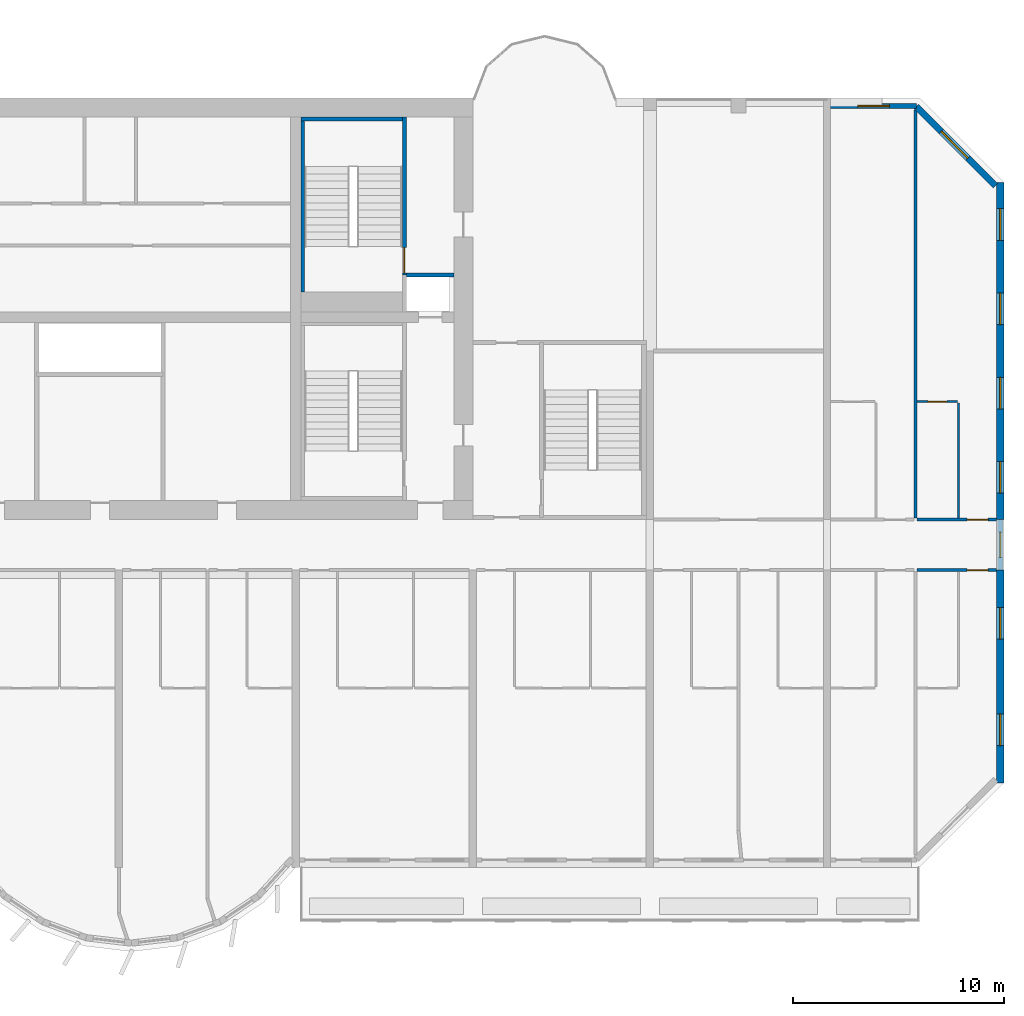
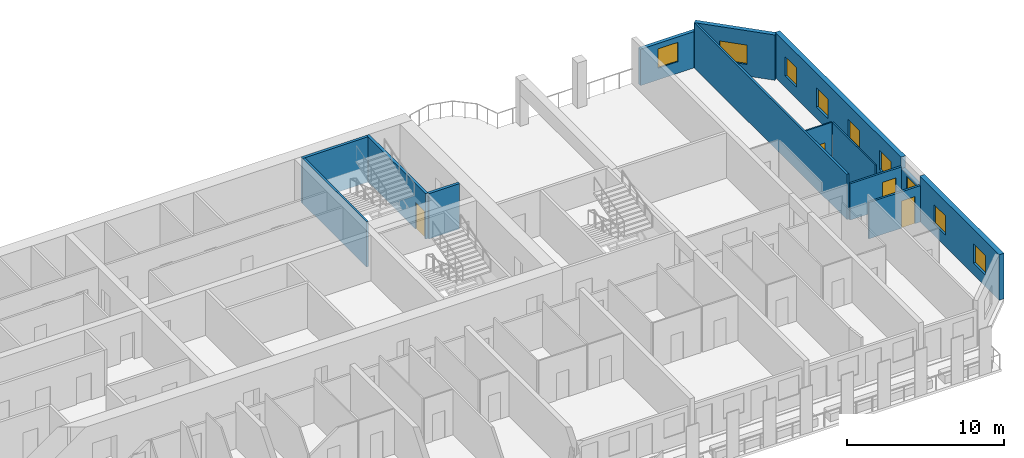
# One storey, part 11 of 15: 14 walls, 9 windows, 4 doors, 13 openings.
"""IFC4 building model written with IfcOpenShell, lengths in metres."""

from ifc_helpers import new_model, si_unit, direction, frame, frame_2d, origin, place, context, subcontext, project, spatial, rectangle, extrude, source, transform, mapped, material, layer, layer_set, type_object, element, fill, save


model = new_model("IFC4")

# Units and contexts
model_context = context("Model", 3, precision=1e-05, world=origin(), true_north=direction((0.0, 1.0)))
body_context = subcontext(model_context, "Body", "Model", "MODEL_VIEW")
ifc_project = project(units=[si_unit("LENGTHUNIT", "METRE"), si_unit("AREAUNIT", "SQUARE_METRE"), si_unit("VOLUMEUNIT", "CUBIC_METRE"), si_unit("PLANEANGLEUNIT", "RADIAN"), si_unit("MASSUNIT", "GRAM", prefix="KILO")], contexts=[model_context])

# Site, building, storey
site_placement = place(None, origin())
site = spatial("IfcSite", under=ifc_project, at=site_placement, CompositionType="ELEMENT")
building_placement = place(site_placement, origin())
building = spatial("IfcBuilding", under=site, at=building_placement, Name="Vanashikhar Sky Hotel", CompositionType="ELEMENT")
storey_placement = place(building_placement, frame((0.0, 0.0, 106.60009765625)))
storey = spatial("IfcBuildingStorey", under=building, at=storey_placement, Name="L25", CompositionType="ELEMENT", Elevation=106.60009765625)

# Wall, openings, windows
ifc_material_1 = material(Name="Concrete M70", Category="concrete")
ifc_layer_1 = layer(ifc_material_1, 0.35009765625)
ifc_layer_set_1 = layer_set([ifc_layer_1], Name="RC shear wall 350 Concrete M70")
wall_type_1 = type_object("IfcWallType", Name="RC shear wall 350 Concrete M70", PredefinedType="SHEAR", material=ifc_layer_set_1)
shared_shape_1 = source(origin(), body_context, "Body", "SweptSolid", [
    extrude(rectangle(XDim=10.10009765625, YDim=0.35009765625, at=frame_2d((5.050048828125, 0.0))), origin(), (0.0, 0.0, 1.0), 3.52001953125),
])
wall_1_placement = place(storey_placement, frame((100.625, 9.5, 0.0), z_axis=(0.0, 0.0, 1.0), x_axis=(0.0, 1.0, 0.0)))
wall_1 = element("IfcWall", 1, at=wall_1_placement, inside=storey, type_object=wall_type_1, Name="CW-L25-XW13-1", PredefinedType="SHEAR", context=body_context, shape_type="MappedRepresentation", body=[
    mapped(shared_shape_1, transform((0.0, 0.0, 0.0), scale=1.0)),
])
shared_shape_2 = source(origin(), body_context, "Body", "SweptSolid", [
    extrude(rectangle(XDim=1.5, YDim=1.5, at=frame_2d((0.75, 0.75))), frame((0.0, 0.18505859375, 0.0), z_axis=(0.0, -1.0, 0.0), x_axis=(1.0, 0.0, 0.0)), (0.0, 0.0, 1.0), 0.3701171875),
])
opening_1_placement = place(wall_1_placement, frame((1.77490234375, 0.0, 0.89990234375)))
opening_1 = element("IfcOpeningElement", 2, at=opening_1_placement, cuts=wall_1, Name="Opening WN-1", PredefinedType="OPENING", context=body_context, shape_type="MappedRepresentation", body=[
    mapped(shared_shape_2, transform((0.0, 0.0, 0.0), scale=1.0)),
])
opening_2_placement = place(wall_1_placement, frame((6.824951171875, 0.0, 0.89990234375)))
opening_2 = element("IfcOpeningElement", 3, at=opening_2_placement, cuts=wall_1, Name="Opening WN-1", PredefinedType="OPENING", context=body_context, shape_type="MappedRepresentation", body=[
    mapped(shared_shape_2, transform((0.0, 0.0, 0.0), scale=1.0)),
])
ifc_material_2 = material(Name="Glass", Category="glass")
window_type_1 = type_object("IfcWindowType", Name="Window 1500 x 1500", PartitioningType="SINGLE_PANEL", PredefinedType="WINDOW", material=ifc_material_2)
shared_shape_3 = source(origin(), body_context, "Body", "SweptSolid", [
    extrude(rectangle(XDim=1.5, YDim=1.5, at=frame_2d((0.75, 0.75))), frame((0.0, 0.030029296875, 0.0), z_axis=(0.0, -1.0, 0.0), x_axis=(1.0, 0.0, 0.0)), (0.0, 0.0, 1.0), 0.06005859375),
])
window_1_placement = place(opening_1_placement, origin())
window_1 = element("IfcWindow", 4, at=window_1_placement, inside=storey, type_object=window_type_1, Name="Window WN-1", OverallHeight=1.5, OverallWidth=1.5, PartitioningType="SINGLE_PANEL", PredefinedType="WINDOW", context=body_context, shape_type="MappedRepresentation", body=[
    mapped(shared_shape_3, transform((0.0, 0.0, 0.0), scale=1.0)),
])
fill(opening_1, window_1)
window_2_placement = place(opening_2_placement, origin())
window_2 = element("IfcWindow", 5, at=window_2_placement, inside=storey, type_object=window_type_1, Name="Window WN-1", OverallHeight=1.5, OverallWidth=1.5, PartitioningType="SINGLE_PANEL", PredefinedType="WINDOW", context=body_context, shape_type="MappedRepresentation", body=[
    mapped(shared_shape_3, transform((0.0, 0.0, 0.0), scale=1.0)),
])
fill(opening_2, window_2)

shared_shape_4 = source(origin(), body_context, "Body", "SweptSolid", [
    extrude(rectangle(XDim=16.0, YDim=0.35009765625, at=frame_2d((8.0, 0.0))), origin(), (0.0, 0.0, 1.0), 3.52001953125),
])
wall_2_placement = place(storey_placement, frame((100.625, 22.0, 0.0), z_axis=(0.0, 0.0, 1.0), x_axis=(0.0, 1.0, 0.0)))
wall_2 = element("IfcWall", 6, at=wall_2_placement, inside=storey, type_object=wall_type_1, Name="CW-L25-XW13-2", PredefinedType="SHEAR", context=body_context, shape_type="MappedRepresentation", body=[
    mapped(shared_shape_4, transform((0.0, 0.0, 0.0), scale=1.0)),
])
opening_3_placement = place(wall_2_placement, frame((1.25, 0.0, 0.89990234375)))
opening_3 = element("IfcOpeningElement", 7, at=opening_3_placement, cuts=wall_2, Name="Opening WN-1", PredefinedType="OPENING", context=body_context, shape_type="MappedRepresentation", body=[
    mapped(shared_shape_2, transform((0.0, 0.0, 0.0), scale=1.0)),
])
opening_4_placement = place(wall_2_placement, frame((5.25, 0.0, 0.89990234375)))
opening_4 = element("IfcOpeningElement", 8, at=opening_4_placement, cuts=wall_2, Name="Opening WN-1", PredefinedType="OPENING", context=body_context, shape_type="MappedRepresentation", body=[
    mapped(shared_shape_2, transform((0.0, 0.0, 0.0), scale=1.0)),
])
opening_5_placement = place(wall_2_placement, frame((9.25, 0.0, 0.89990234375)))
opening_5 = element("IfcOpeningElement", 9, at=opening_5_placement, cuts=wall_2, Name="Opening WN-1", PredefinedType="OPENING", context=body_context, shape_type="MappedRepresentation", body=[
    mapped(shared_shape_2, transform((0.0, 0.0, 0.0), scale=1.0)),
])
opening_6_placement = place(wall_2_placement, frame((13.25, 0.0, 0.89990234375)))
opening_6 = element("IfcOpeningElement", 10, at=opening_6_placement, cuts=wall_2, Name="Opening WN-1", PredefinedType="OPENING", context=body_context, shape_type="MappedRepresentation", body=[
    mapped(shared_shape_2, transform((0.0, 0.0, 0.0), scale=1.0)),
])
window_3_placement = place(opening_3_placement, origin())
window_3 = element("IfcWindow", 11, at=window_3_placement, inside=storey, type_object=window_type_1, Name="Window WN-1", OverallHeight=1.5, OverallWidth=1.5, PartitioningType="SINGLE_PANEL", PredefinedType="WINDOW", context=body_context, shape_type="MappedRepresentation", body=[
    mapped(shared_shape_3, transform((0.0, 0.0, 0.0), scale=1.0)),
])
fill(opening_3, window_3)
window_4_placement = place(opening_4_placement, origin())
window_4 = element("IfcWindow", 12, at=window_4_placement, inside=storey, type_object=window_type_1, Name="Window WN-1", OverallHeight=1.5, OverallWidth=1.5, PartitioningType="SINGLE_PANEL", PredefinedType="WINDOW", context=body_context, shape_type="MappedRepresentation", body=[
    mapped(shared_shape_3, transform((0.0, 0.0, 0.0), scale=1.0)),
])
fill(opening_4, window_4)
window_5_placement = place(opening_5_placement, origin())
window_5 = element("IfcWindow", 13, at=window_5_placement, inside=storey, type_object=window_type_1, Name="Window WN-1", OverallHeight=1.5, OverallWidth=1.5, PartitioningType="SINGLE_PANEL", PredefinedType="WINDOW", context=body_context, shape_type="MappedRepresentation", body=[
    mapped(shared_shape_3, transform((0.0, 0.0, 0.0), scale=1.0)),
])
fill(opening_5, window_5)
window_6_placement = place(opening_6_placement, origin())
window_6 = element("IfcWindow", 14, at=window_6_placement, inside=storey, type_object=window_type_1, Name="Window WN-1", OverallHeight=1.5, OverallWidth=1.5, PartitioningType="SINGLE_PANEL", PredefinedType="WINDOW", context=body_context, shape_type="MappedRepresentation", body=[
    mapped(shared_shape_3, transform((0.0, 0.0, 0.0), scale=1.0)),
])
fill(opening_6, window_6)

# Wall, opening, window
ifc_material_3 = material(Name="Concrete M50", Category="concrete")
ifc_layer_2 = layer(ifc_material_3, 0.300048828125)
ifc_layer_set_2 = layer_set([ifc_layer_2], Name="Lobe wall 300")
wall_type_2 = type_object("IfcWallType", Name="Lobe wall 300", PredefinedType="SOLIDWALL", material=ifc_layer_set_2)
shared_shape_5 = source(origin(), body_context, "Body", "SweptSolid", [
    extrude(rectangle(XDim=5.32568359375, YDim=0.300048828125, at=frame_2d((2.662841796875, 0.0))), origin(), (0.0, 0.0, 1.0), 3.52001953125),
])
wall_3_placement = place(storey_placement, frame((100.39990234375, 37.834228515625, 0.0), z_axis=(0.0, 0.0, 1.0), x_axis=(-0.707083859269, 0.707129702361, 0.0)))
wall_3 = element("IfcWall", 15, at=wall_3_placement, inside=storey, type_object=wall_type_2, Name="Corner wall", PredefinedType="SOLIDWALL", context=body_context, shape_type="MappedRepresentation", body=[
    mapped(shared_shape_5, transform((0.0, 0.0, 0.0), scale=1.0)),
])
shared_shape_6 = source(origin(), body_context, "Body", "SweptSolid", [
    extrude(rectangle(XDim=1.800048828125, YDim=1.5, at=frame_2d((0.89990234375, 0.75))), frame((0.0, 0.16015625, 0.0), z_axis=(0.0, -1.0, 0.0), x_axis=(1.0, 0.0, 0.0)), (0.0, 0.0, 1.0), 0.320068359375),
])
opening_7_placement = place(wall_3_placement, frame((1.853759765625, 0.0, 0.89990234375)))
opening_7 = element("IfcOpeningElement", 16, at=opening_7_placement, cuts=wall_3, Name="Opening WN-4", PredefinedType="OPENING", context=body_context, shape_type="MappedRepresentation", body=[
    mapped(shared_shape_6, transform((0.0, 0.0, 0.0), scale=1.0)),
])
window_type_2 = type_object("IfcWindowType", Name="Corner window 1800 x 1500", PartitioningType="SINGLE_PANEL", PredefinedType="WINDOW", material=ifc_material_2)
shared_shape_7 = source(origin(), body_context, "Body", "SweptSolid", [
    extrude(rectangle(XDim=1.800048828125, YDim=1.5, at=frame_2d((0.89990234375, 0.75))), frame((0.0, 0.030029296875, 0.0), z_axis=(0.0, -1.0, 0.0), x_axis=(1.0, 0.0, 0.0)), (0.0, 0.0, 1.0), 0.06005859375),
])
window_7_placement = place(opening_7_placement, origin())
window_7 = element("IfcWindow", 17, at=window_7_placement, inside=storey, type_object=window_type_2, Name="Window WN-4", OverallHeight=1.5, OverallWidth=1.800048828125, PartitioningType="SINGLE_PANEL", PredefinedType="WINDOW", context=body_context, shape_type="MappedRepresentation", body=[
    mapped(shared_shape_7, transform((0.0, 0.0, 0.0), scale=1.0)),
])
fill(opening_7, window_7)

ifc_layer_3 = layer(ifc_material_3, 0.25)
ifc_layer_set_3 = layer_set([ifc_layer_3], Name="Rear and end board-marked wall 250")
wall_type_3 = type_object("IfcWallType", Name="Rear and end board-marked wall 250", PredefinedType="SOLIDWALL", material=ifc_layer_set_3)
shared_shape_8 = source(origin(), body_context, "Body", "SweptSolid", [
    extrude(rectangle(XDim=2.39990234375, YDim=0.25, at=frame_2d((1.199951171875, 0.0))), origin(), (0.0, 0.0, 1.0), 2.619873046875),
])
wall_4_placement = place(storey_placement, frame((100.625, 19.60009765625, 0.0), z_axis=(0.0, 0.0, 1.0), x_axis=(0.0, 1.0, 0.0)))
wall_4 = element("IfcWall", 18, at=wall_4_placement, inside=storey, type_object=wall_type_3, Name="End corridor infill wall", PredefinedType="SOLIDWALL", context=body_context, shape_type="MappedRepresentation", body=[
    mapped(shared_shape_8, transform((0.0, 0.0, 0.0), scale=1.0)),
])
shared_shape_9 = source(origin(), body_context, "Body", "SweptSolid", [
    extrude(rectangle(XDim=1.199951171875, YDim=1.5, at=frame_2d((0.60009765625, 0.75))), frame((0.0, 0.135009765625, 0.0), z_axis=(0.0, -1.0, 0.0), x_axis=(1.0, 0.0, 0.0)), (0.0, 0.0, 1.0), 0.27001953125),
])
opening_8_placement = place(wall_4_placement, frame((0.60009765625, 0.0, 0.89990234375)))
opening_8 = element("IfcOpeningElement", 19, at=opening_8_placement, cuts=wall_4, Name="Opening WN-3", PredefinedType="OPENING", context=body_context, shape_type="MappedRepresentation", body=[
    mapped(shared_shape_9, transform((0.0, 0.0, 0.0), scale=1.0)),
])
window_type_3 = type_object("IfcWindowType", Name="Corridor end window 1200 x 1500", PartitioningType="SINGLE_PANEL", PredefinedType="WINDOW", material=ifc_material_2)
shared_shape_10 = source(origin(), body_context, "Body", "SweptSolid", [
    extrude(rectangle(XDim=1.199951171875, YDim=1.5, at=frame_2d((0.60009765625, 0.75))), frame((0.0, 0.030029296875, 0.0), z_axis=(0.0, -1.0, 0.0), x_axis=(1.0, 0.0, 0.0)), (0.0, 0.0, 1.0), 0.06005859375),
])
window_8_placement = place(opening_8_placement, origin())
window_8 = element("IfcWindow", 20, at=window_8_placement, inside=storey, type_object=window_type_3, Name="Window WN-3", OverallHeight=1.5, OverallWidth=1.199951171875, PartitioningType="SINGLE_PANEL", PredefinedType="WINDOW", context=body_context, shape_type="MappedRepresentation", body=[
    mapped(shared_shape_10, transform((0.0, 0.0, 0.0), scale=1.0)),
])
fill(opening_8, window_8)

shared_shape_11 = source(origin(), body_context, "Body", "SweptSolid", [
    extrude(rectangle(XDim=4.06982421875, YDim=0.25, at=frame_2d((2.034912109375, 0.0))), origin(), (0.0, 0.0, 1.0), 2.81982421875),
])
wall_5_placement = place(storey_placement, frame((96.644775390625, 41.625, 0.0), z_axis=(0.0, 0.0, 1.0), x_axis=(-1.0, 0.0, 0.0)))
wall_5 = element("IfcWall", 21, at=wall_5_placement, inside=storey, type_object=wall_type_3, Name="Rear board-marked wall", PredefinedType="SOLIDWALL", context=body_context, shape_type="MappedRepresentation", body=[
    mapped(shared_shape_11, transform((0.0, 0.0, 0.0), scale=1.0)),
])
shared_shape_12 = source(origin(), body_context, "Body", "SweptSolid", [
    extrude(rectangle(XDim=1.5, YDim=1.5, at=frame_2d((0.75, 0.75))), frame((0.0, 0.135009765625, 0.0), z_axis=(0.0, -1.0, 0.0), x_axis=(1.0, 0.0, 0.0)), (0.0, 0.0, 1.0), 0.27001953125),
])
opening_9_placement = place(wall_5_placement, frame((1.284912109375, 0.0, 0.89990234375)))
opening_9 = element("IfcOpeningElement", 22, at=opening_9_placement, cuts=wall_5, Name="Opening WN-1", PredefinedType="OPENING", context=body_context, shape_type="MappedRepresentation", body=[
    mapped(shared_shape_12, transform((0.0, 0.0, 0.0), scale=1.0)),
])
window_9_placement = place(opening_9_placement, origin())
window_9 = element("IfcWindow", 23, at=window_9_placement, inside=storey, type_object=window_type_1, Name="Window WN-1", OverallHeight=1.5, OverallWidth=1.5, PartitioningType="SINGLE_PANEL", PredefinedType="WINDOW", context=body_context, shape_type="MappedRepresentation", body=[
    mapped(shared_shape_3, transform((0.0, 0.0, 0.0), scale=1.0)),
])
fill(opening_9, window_9)

# Wall, opening, door
ifc_layer_4 = layer(ifc_material_3, 0.199951171875)
ifc_layer_set_4 = layer_set([ifc_layer_4], Name="Stair wall 200")
wall_type_4 = type_object("IfcWallType", Name="Stair wall 200", PredefinedType="SOLIDWALL", material=ifc_layer_set_4)
shared_shape_13 = source(origin(), body_context, "Body", "SweptSolid", [
    extrude(rectangle(XDim=7.5, YDim=0.199951171875, at=frame_2d((3.75, 0.0))), origin(), (0.0, 0.0, 1.0), 3.52001953125),
])
wall_6_placement = place(storey_placement, frame((72.35009765625, 33.60009765625, 0.0), z_axis=(0.0, 0.0, 1.0), x_axis=(0.0, 1.0, 0.0)))
wall_6 = element("IfcWall", 24, at=wall_6_placement, inside=storey, type_object=wall_type_4, Name="Stair wall 200", PredefinedType="SOLIDWALL", context=body_context, shape_type="MappedRepresentation", body=[
    mapped(shared_shape_13, transform((0.0, 0.0, 0.0), scale=1.0)),
])
shared_shape_14 = source(origin(), body_context, "Body", "SweptSolid", [
    extrude(rectangle(XDim=1.199951171875, YDim=2.10009765625, at=frame_2d((0.60009765625, 1.050048828125))), frame((0.0, 0.10986328125, 0.0), z_axis=(0.0, -1.0, 0.0), x_axis=(1.0, 0.0, 0.0)), (0.0, 0.0, 1.0), 0.219970703125),
])
opening_10_placement = place(wall_6_placement, frame((0.10009765625, 0.0, 0.0)))
opening_10 = element("IfcOpeningElement", 25, at=opening_10_placement, cuts=wall_6, Name="Opening DC-1", PredefinedType="OPENING", context=body_context, shape_type="MappedRepresentation", body=[
    mapped(shared_shape_14, transform((0.0, 0.0, 0.0), scale=1.0)),
])
ifc_material_4 = material(Name="Steel", Category="steel")
door_type_1 = type_object("IfcDoorType", Name="Stair door 1200 FD120", OperationType="NOTDEFINED", PredefinedType="DOOR", material=ifc_material_4)
shared_shape_15 = source(origin(), body_context, "Body", "SweptSolid", [
    extrude(rectangle(XDim=1.199951171875, YDim=2.10009765625, at=frame_2d((0.60009765625, 1.050048828125))), frame((0.0, 0.02490234375, 0.0), z_axis=(0.0, -1.0, 0.0), x_axis=(1.0, 0.0, 0.0)), (0.0, 0.0, 1.0), 0.050048828125),
])
door_1_placement = place(opening_10_placement, origin())
door_1 = element("IfcDoor", 26, at=door_1_placement, inside=storey, type_object=door_type_1, Name="Stair door 1200 FD120", OperationType="SINGLE_SWING_LEFT", OverallHeight=2.10009765625, OverallWidth=1.199951171875, PredefinedType="DOOR", context=body_context, shape_type="MappedRepresentation", body=[
    mapped(shared_shape_15, transform((0.0, 0.0, 0.0), scale=1.0)),
])
fill(opening_10, door_1)

# Walls
ifc_material_5 = material(Name="Concrete M40", Category="concrete")
ifc_layer_5 = layer(ifc_material_5, 0.199951171875)
ifc_layer_set_5 = layer_set([ifc_layer_5], Name="Shaft wall 200")
wall_type_5 = type_object("IfcWallType", Name="Shaft wall 200", PredefinedType="SOLIDWALL", material=ifc_layer_set_5)
shared_shape_16 = source(origin(), body_context, "Body", "SweptSolid", [
    extrude(rectangle(XDim=2.25, YDim=0.199951171875, at=frame_2d((1.125, 0.0))), origin(), (0.0, 0.0, 1.0), 3.52001953125),
])
wall_7_placement = place(storey_placement, frame((72.449951171875, 33.60009765625, 0.0), z_axis=(0.0, 0.0, 1.0), x_axis=(1.0, 0.0, 0.0)))
element("IfcWall", 27, at=wall_7_placement, inside=storey, type_object=wall_type_5, Name="Shaft wall 200", PredefinedType="SOLIDWALL", context=body_context, shape_type="MappedRepresentation", body=[
    mapped(shared_shape_16, transform((0.0, 0.0, 0.0), scale=1.0)),
])
ifc_layer_6 = layer(ifc_material_3, 0.199951171875)
ifc_layer_set_6 = layer_set([ifc_layer_6], Name="Stair infill wall 200")
wall_type_6 = type_object("IfcWallType", Name="Stair infill wall 200", PredefinedType="SOLIDWALL", material=ifc_layer_set_6)
shared_shape_17 = source(origin(), body_context, "Body", "SweptSolid", [
    extrude(rectangle(XDim=4.800048828125, YDim=0.199951171875, at=frame_2d((2.39990234375, 0.0))), origin(), (0.0, 0.0, 1.0), 3.52001953125),
])
wall_8_placement = place(storey_placement, frame((67.449951171875, 41.0, 0.0), z_axis=(0.0, 0.0, 1.0), x_axis=(1.0, 0.0, 0.0)))
element("IfcWall", 28, at=wall_8_placement, inside=storey, type_object=wall_type_6, Name="Stair infill wall 200", PredefinedType="SOLIDWALL", context=body_context, shape_type="MappedRepresentation", body=[
    mapped(shared_shape_17, transform((0.0, 0.0, 0.0), scale=1.0)),
])
ifc_layer_7 = layer(ifc_material_3, 0.14990234375)
ifc_layer_set_7 = layer_set([ifc_layer_7], Name="Stair infill wall 150")
wall_type_7 = type_object("IfcWallType", Name="Stair infill wall 150", PredefinedType="SOLIDWALL", material=ifc_layer_set_7)
shared_shape_18 = source(origin(), body_context, "Body", "SweptSolid", [
    extrude(rectangle(XDim=8.099853515625, YDim=0.14990234375, at=frame_2d((4.0498046875, 0.0))), origin(), (0.0, 0.0, 1.0), 3.52001953125),
])
wall_9_placement = place(storey_placement, frame((67.52490234375, 32.800048828125, 0.0), z_axis=(0.0, 0.0, 1.0), x_axis=(0.0, 1.0, 0.0)))
element("IfcWall", 29, at=wall_9_placement, inside=storey, type_object=wall_type_7, Name="Stair infill wall 150", PredefinedType="SOLIDWALL", context=body_context, shape_type="MappedRepresentation", body=[
    mapped(shared_shape_18, transform((0.0, 0.0, 0.0), scale=1.0)),
])
ifc_material_6 = material(Name="Gypsum plasterboard partition")
ifc_layer_8 = layer(ifc_material_6, 0.14990234375)
ifc_layer_set_8 = layer_set([ifc_layer_8], Name="Corridor and demising partition 150")
wall_type_8 = type_object("IfcWallType", Name="Corridor and demising partition 150", PredefinedType="PARTITIONING", material=ifc_layer_set_8)
shared_shape_19 = source(origin(), body_context, "Body", "SweptSolid", [
    extrude(rectangle(XDim=19.34716796875, YDim=0.14990234375, at=frame_2d((9.673583984375, 0.0))), origin(), (0.0, 0.0, 1.0), 3.52001953125),
])
wall_10_placement = place(storey_placement, frame((96.60009765625, 22.074951171875, 0.0), z_axis=(0.0, 0.0, 1.0), x_axis=(0.0, 1.0, 0.0)))
element("IfcWall", 30, at=wall_10_placement, inside=storey, type_object=wall_type_8, Name="W-L25-PW103", PredefinedType="PARTITIONING", context=body_context, shape_type="MappedRepresentation", body=[
    mapped(shared_shape_19, transform((0.0, 0.0, 0.0), scale=1.0)),
])
ifc_layer_9 = layer(ifc_material_6, 0.10009765625)
ifc_layer_set_9 = layer_set([ifc_layer_9], Name="Wet room partition 100")
wall_type_9 = type_object("IfcWallType", Name="Wet room partition 100", PredefinedType="PARTITIONING", material=ifc_layer_set_9)
shared_shape_20 = source(origin(), body_context, "Body", "SweptSolid", [
    extrude(rectangle(XDim=5.449951171875, YDim=0.10009765625, at=frame_2d((2.72509765625, 0.0))), origin(), (0.0, 0.0, 1.0), 3.52001953125),
])
wall_11_placement = place(storey_placement, frame((98.64990234375, 22.074951171875, 0.0), z_axis=(0.0, 0.0, 1.0), x_axis=(0.0, 1.0, 0.0)))
element("IfcWall", 31, at=wall_11_placement, inside=storey, type_object=wall_type_9, Name="W-L25-PW100", PredefinedType="PARTITIONING", context=body_context, shape_type="MappedRepresentation", body=[
    mapped(shared_shape_20, transform((0.0, 0.0, 0.0), scale=1.0)),
])

# Wall, opening, door
shared_shape_21 = source(origin(), body_context, "Body", "SweptSolid", [
    extrude(rectangle(XDim=1.925048828125, YDim=0.10009765625, at=frame_2d((0.96240234375, 0.0))), origin(), (0.0, 0.0, 1.0), 3.52001953125),
])
wall_12_placement = place(storey_placement, frame((96.675048828125, 27.60009765625, 0.0), z_axis=(0.0, 0.0, 1.0), x_axis=(1.0, 0.0, 0.0)))
wall_12 = element("IfcWall", 32, at=wall_12_placement, inside=storey, type_object=wall_type_9, Name="W-L25-PW101", PredefinedType="PARTITIONING", context=body_context, shape_type="MappedRepresentation", body=[
    mapped(shared_shape_21, transform((0.0, 0.0, 0.0), scale=1.0)),
])
shared_shape_22 = source(origin(), body_context, "Body", "SweptSolid", [
    extrude(rectangle(XDim=0.89990234375, YDim=2.10009765625, at=frame_2d((0.449951171875, 1.050048828125))), frame((0.0, 0.06005859375, 0.0), z_axis=(0.0, -1.0, 0.0), x_axis=(1.0, 0.0, 0.0)), (0.0, 0.0, 1.0), 0.1201171875),
])
opening_11_placement = place(wall_12_placement, frame((0.512939453125, 0.0, 0.0)))
opening_11 = element("IfcOpeningElement", 33, at=opening_11_placement, cuts=wall_12, Name="Opening D-02", PredefinedType="OPENING", context=body_context, shape_type="MappedRepresentation", body=[
    mapped(shared_shape_22, transform((0.0, 0.0, 0.0), scale=1.0)),
])
ifc_material_7 = material(Name="Timber door", Category="wood")
door_type_2 = type_object("IfcDoorType", Name="Internal door 900", OperationType="NOTDEFINED", PredefinedType="DOOR", material=ifc_material_7)
shared_shape_23 = source(origin(), body_context, "Body", "SweptSolid", [
    extrude(rectangle(XDim=0.89990234375, YDim=2.10009765625, at=frame_2d((0.449951171875, 1.050048828125))), frame((0.0, 0.02490234375, 0.0), z_axis=(0.0, -1.0, 0.0), x_axis=(1.0, 0.0, 0.0)), (0.0, 0.0, 1.0), 0.050048828125),
])
door_2_placement = place(opening_11_placement, origin())
door_2 = element("IfcDoor", 34, at=door_2_placement, inside=storey, type_object=door_type_2, Name="D-L25-057", OperationType="SINGLE_SWING_RIGHT", OverallHeight=2.10009765625, OverallWidth=0.89990234375, PredefinedType="DOOR", context=body_context, shape_type="MappedRepresentation", body=[
    mapped(shared_shape_23, transform((0.0, 0.0, 0.0), scale=1.0)),
])
fill(opening_11, door_2)

shared_shape_24 = source(origin(), body_context, "Body", "SweptSolid", [
    extrude(rectangle(XDim=3.77490234375, YDim=0.14990234375, at=frame_2d((1.887451171875, 0.0))), origin(), (0.0, 0.0, 1.0), 2.81982421875),
])
wall_13_placement = place(storey_placement, frame((96.675048828125, 19.60009765625, 0.0), z_axis=(0.0, 0.0, 1.0), x_axis=(1.0, 0.0, 0.0)))
wall_13 = element("IfcWall", 35, at=wall_13_placement, inside=storey, type_object=wall_type_8, Name="W-L25-PW077", PredefinedType="PARTITIONING", context=body_context, shape_type="MappedRepresentation", body=[
    mapped(shared_shape_24, transform((0.0, 0.0, 0.0), scale=1.0)),
])
shared_shape_25 = source(origin(), body_context, "Body", "SweptSolid", [
    extrude(rectangle(XDim=1.0, YDim=2.10009765625, at=frame_2d((0.5, 1.050048828125))), frame((0.0, 0.0849609375, 0.0), z_axis=(0.0, -1.0, 0.0), x_axis=(1.0, 0.0, 0.0)), (0.0, 0.0, 1.0), 0.169921875),
])
opening_12_placement = place(wall_13_placement, frame((2.375, 0.0, 0.0)))
opening_12 = element("IfcOpeningElement", 36, at=opening_12_placement, cuts=wall_13, Name="Opening D-01", PredefinedType="OPENING", context=body_context, shape_type="MappedRepresentation", body=[
    mapped(shared_shape_25, transform((0.0, 0.0, 0.0), scale=1.0)),
])
ifc_material_8 = material(Name="Timber fire door", Category="wood")
door_type_3 = type_object("IfcDoorType", Name="Guest entry door 1000 FD30S", OperationType="NOTDEFINED", PredefinedType="DOOR", material=ifc_material_8)
shared_shape_26 = source(origin(), body_context, "Body", "SweptSolid", [
    extrude(rectangle(XDim=1.0, YDim=2.10009765625, at=frame_2d((0.5, 1.050048828125))), frame((0.0, 0.02490234375, 0.0), z_axis=(0.0, -1.0, 0.0), x_axis=(1.0, 0.0, 0.0)), (0.0, 0.0, 1.0), 0.050048828125),
])
door_3_placement = place(opening_12_placement, origin())
door_3 = element("IfcDoor", 37, at=door_3_placement, inside=storey, type_object=door_type_3, Name="D-L25-045", OperationType="SINGLE_SWING_RIGHT", OverallHeight=2.10009765625, OverallWidth=1.0, PredefinedType="DOOR", context=body_context, shape_type="MappedRepresentation", body=[
    mapped(shared_shape_26, transform((0.0, 0.0, 0.0), scale=1.0)),
])
fill(opening_12, door_3)

wall_14_placement = place(storey_placement, frame((96.675048828125, 22.0, 0.0), z_axis=(0.0, 0.0, 1.0), x_axis=(1.0, 0.0, 0.0)))
wall_14 = element("IfcWall", 38, at=wall_14_placement, inside=storey, type_object=wall_type_8, Name="W-L25-PW102", PredefinedType="PARTITIONING", context=body_context, shape_type="MappedRepresentation", body=[
    mapped(shared_shape_24, transform((0.0, 0.0, 0.0), scale=1.0)),
])
opening_13_placement = place(wall_14_placement, frame((2.375, 0.0, 0.0)))
opening_13 = element("IfcOpeningElement", 39, at=opening_13_placement, cuts=wall_14, Name="Opening D-01", PredefinedType="OPENING", context=body_context, shape_type="MappedRepresentation", body=[
    mapped(shared_shape_25, transform((0.0, 0.0, 0.0), scale=1.0)),
])
door_4_placement = place(opening_13_placement, origin())
door_4 = element("IfcDoor", 40, at=door_4_placement, inside=storey, type_object=door_type_3, Name="D-L25-058", OperationType="SINGLE_SWING_RIGHT", OverallHeight=2.10009765625, OverallWidth=1.0, PredefinedType="DOOR", context=body_context, shape_type="MappedRepresentation", body=[
    mapped(shared_shape_26, transform((0.0, 0.0, 0.0), scale=1.0)),
])
fill(opening_13, door_4)

save(model, "model.ifc")
